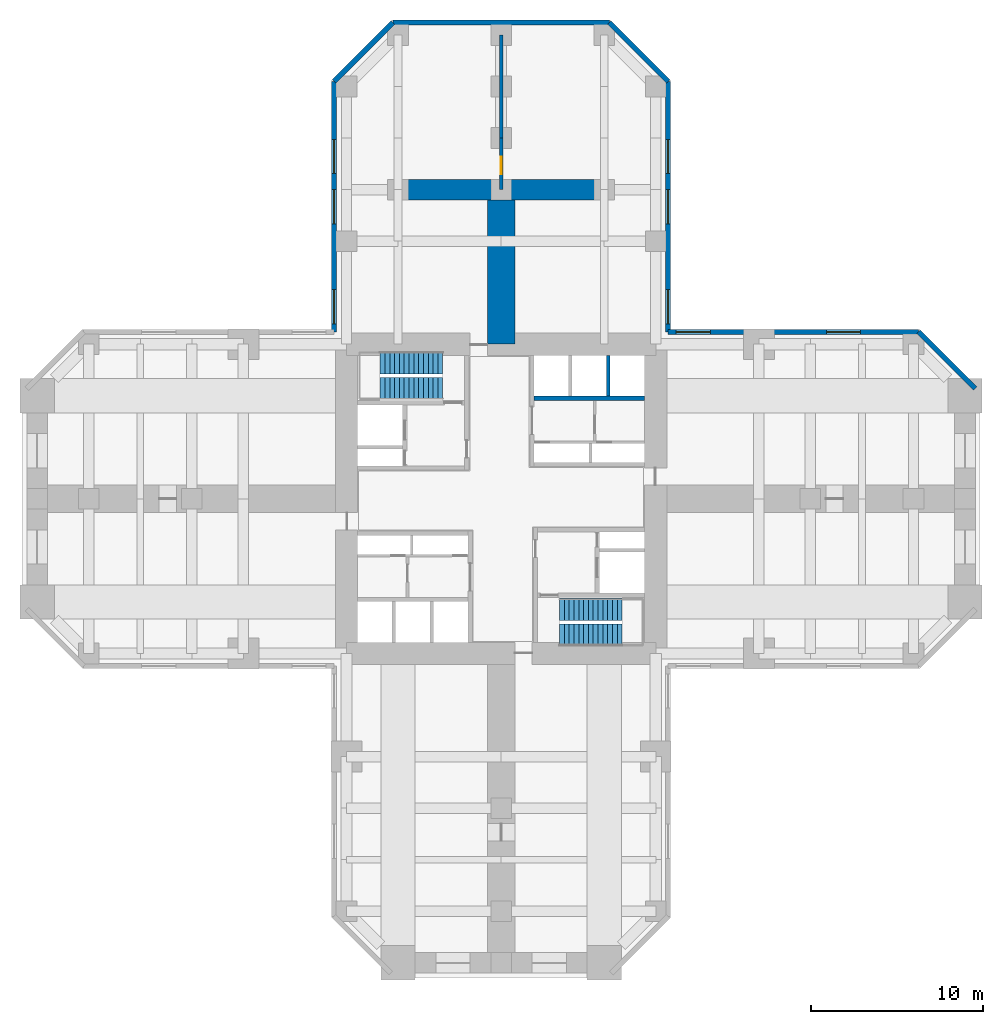
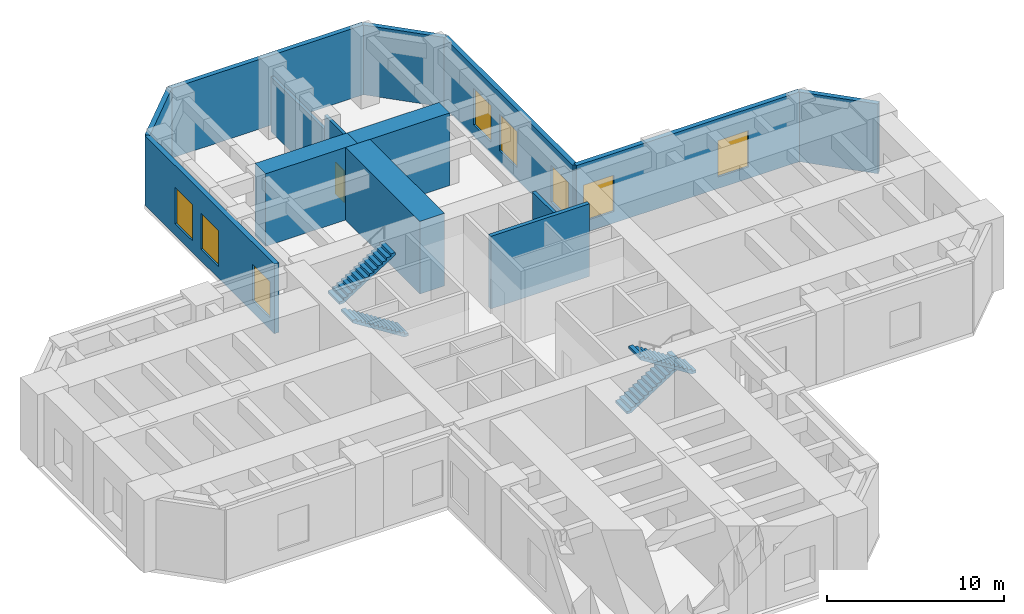
# One storey, part 5 of 6: 14 walls, 8 windows, 4 stair flights, 1 door, 9 openings, 2 elements without a shape of their own.
"""IFC4 building model written with IfcOpenShell, lengths in metres."""

from ifc_helpers import new_model, si_unit, direction, frame, frame_2d, origin, place, context, subcontext, project, spatial, polyline, rectangle, hollow_rectangle, outline, extrude, material, layer, layer_set, constituent, constituent_set, type_object, element, fill, aggregate, save


model = new_model("IFC4")

# Units and contexts
model_context = context("Model", 3, precision=1e-05, world=origin(), true_north=direction((0.0, 1.0)))
body_context = subcontext(model_context, "Body", "Model", "MODEL_VIEW")
ifc_project = project(units=[si_unit("LENGTHUNIT", "METRE"), si_unit("AREAUNIT", "SQUARE_METRE"), si_unit("VOLUMEUNIT", "CUBIC_METRE"), si_unit("PLANEANGLEUNIT", "RADIAN"), si_unit("MASSUNIT", "GRAM", prefix="KILO")], contexts=[model_context])

# Site, building, storey
site_placement = place(None, origin())
site = spatial("IfcSite", under=ifc_project, at=site_placement, CompositionType="ELEMENT")
building_placement = place(site_placement, origin())
building = spatial("IfcBuilding", under=site, at=building_placement, Name="Torre Cruceta", CompositionType="ELEMENT")
storey_placement = place(building_placement, frame((0.0, 0.0, 18.5)))
storey = spatial("IfcBuildingStorey", under=building, at=storey_placement, Name="L04", CompositionType="ELEMENT", Elevation=18.5)

# Wall
ifc_material_1 = material(Name="Concrete G60 (fck 60 MPa)", Category="concrete")
ifc_layer_1 = layer(ifc_material_1, 0.25)
ifc_layer_set_1 = layer_set([ifc_layer_1], Name="Concrete G60 (fck 60 MPa)")
wall_type_1 = type_object("IfcWallType", Name="CORE INNER WALL 250 G60", PredefinedType="SHEAR", material=ifc_layer_set_1)
wall_1_placement = place(storey_placement, frame((1.925048828125, 5.85009765625, 0.0), z_axis=(0.0, 0.0, 1.0), x_axis=(1.0, 0.0, 0.0)))
element("IfcWall", 1, at=wall_1_placement, inside=storey, type_object=wall_type_1, Name="CW4 L04 NE-LV", PredefinedType="SHEAR", context=body_context, shape_type="SweptSolid", body=[
    extrude(rectangle(XDim=6.425048828125, YDim=0.25, at=frame_2d((3.21240234375, 0.0))), origin(), (0.0, 0.0, 1.0), 5.0),
])

# Wall, opening, door
ifc_material_2 = material(Name="Concrete G25 (fck 25 MPa)", Category="concrete")
ifc_layer_2 = layer(ifc_material_2, 0.199951171875)
ifc_layer_set_2 = layer_set([ifc_layer_2], Name="Concrete G25 (fck 25 MPa)")
wall_type_2 = type_object("IfcWallType", Name="CORRIDOR WALL 200", PredefinedType="SOLIDWALL", material=ifc_layer_set_2)
wall_2_placement = place(storey_placement, frame((0.0, 18.0, 0.0), z_axis=(0.0, 0.0, 1.0), x_axis=(0.0, 1.0, 0.0)))
wall_2 = element("IfcWall", 2, at=wall_2_placement, inside=storey, type_object=wall_type_2, Name="PT3 spine line L04 N", PredefinedType="SOLIDWALL", context=body_context, shape_type="SweptSolid", body=[
    extrude(rectangle(XDim=3.0, YDim=0.199951171875, at=frame_2d((1.5, 0.0))), origin(), (0.0, 0.0, 1.0), 4.800048828125),
])
opening_1_placement = place(wall_2_placement, frame((0.89990234375, 0.0, 0.0)))
opening_1 = element("IfcOpeningElement", 3, at=opening_1_placement, cuts=wall_2, Name="Opening D14", PredefinedType="OPENING", context=body_context, shape_type="SweptSolid", body=[
    extrude(rectangle(XDim=1.0, YDim=2.199951171875, at=frame_2d((0.5, 1.10009765625))), frame((0.0, 0.10986328125, 0.0), z_axis=(0.0, -1.0, 0.0), x_axis=(1.0, 0.0, 0.0)), (0.0, 0.0, 1.0), 0.219970703125),
])
ifc_material_3 = material(Name="Steel DX51D", Category="steel")
ifc_constituent_1 = constituent(ifc_material_3, Name="Leaf and frame")
ifc_material_4 = material(Name="Polyester powder coating", Category="paint")
ifc_constituent_2 = constituent(ifc_material_4, Name="Finish")
ifc_material_5 = material(Name="Fire-resisting glass", Category="glass")
ifc_constituent_3 = constituent(ifc_material_5, Name="Vision panel")
ifc_constituent_set_1 = constituent_set(constituents=[ifc_constituent_1, ifc_constituent_2, ifc_constituent_3], Name="Steel fire door with vision panel")
door_type = type_object("IfcDoorType", Name="FIRE DOOR VISION PANEL 1000X2200", OperationType="SINGLE_SWING_RIGHT", PredefinedType="DOOR", material=ifc_constituent_set_1)
door_placement = place(opening_1_placement, frame((1.0, 0.0, 0.0), z_axis=(0.0, 0.0, 1.0), x_axis=(-1.0, 0.0, 0.0)))
door = element("IfcDoor", 4, at=door_placement, inside=storey, type_object=door_type, Name="D14 L04-N-SP1", OperationType="SINGLE_SWING_RIGHT", OverallHeight=2.199951171875, OverallWidth=1.0, PredefinedType="DOOR", context=body_context, shape_type="SweptSolid", body=[
    extrude(rectangle(XDim=1.0, YDim=2.199951171875, at=frame_2d((0.5, 1.10009765625))), frame((0.0, 0.025146484375, 0.0), z_axis=(0.0, -1.0, 0.0), x_axis=(1.0, 0.0, 0.0)), (0.0, 0.0, 1.0), 0.050048828125),
])
fill(opening_1, door)

# Walls
wall_3_placement = place(storey_placement, frame((0.0, 21.0, 0.0), z_axis=(0.0, 0.0, 1.0), x_axis=(0.0, 1.0, 0.0)))
element("IfcWall", 5, at=wall_3_placement, inside=storey, type_object=wall_type_2, Name="PT3 spine line L04 N 2", PredefinedType="SOLIDWALL", context=body_context, shape_type="SweptSolid", body=[
    extrude(rectangle(XDim=6.0, YDim=0.199951171875, at=frame_2d((3.0, 0.0))), origin(), (0.0, 0.0, 1.0), 3.800048828125),
])
ifc_material_6 = material(Name="Concrete G60 (fck 60 MPa)", Category="concrete")
ifc_layer_3 = layer(ifc_material_6, 1.199951171875)
ifc_layer_set_3 = layer_set([ifc_layer_3], Name="Concrete G60 (fck 60 MPa)")
wall_type_3 = type_object("IfcWallType", Name="CROSS WALL 1200 G60", PredefinedType="SHEAR", material=ifc_layer_set_3)
for number, where, z_axis, x_axis, name in (
    (6, (0.0, 18.0, 0.0), (0.0, 0.0, 1.0), (-1.0, 0.0, 0.0), "XW1 cross wall L04 N L"),
    (7, (0.0, 18.0, 0.0), (0.0, 0.0, 1.0), (1.0, 0.0, 0.0), "XW1 cross wall L04 N R"),
):
    element("IfcWall", number, at=place(storey_placement, frame(where, z_axis=z_axis, x_axis=x_axis)), inside=storey, type_object=wall_type_3, Name=name, PredefinedType="SHEAR", context=body_context, shape_type="SweptSolid", body=[
        extrude(rectangle(XDim=6.0, YDim=1.199951171875, at=frame_2d((3.0, 0.0))), origin(), (0.0, 0.0, 1.0), 5.0),
    ])
ifc_material_7 = material(Name="Concrete G30 (fck 30 MPa)", Category="concrete")
ifc_layer_4 = layer(ifc_material_7, 0.300048828125)
ifc_layer_set_4 = layer_set([ifc_layer_4], Name="Concrete G30 (fck 30 MPa)")
wall_type_4 = type_object("IfcWallType", Name="EXPOSED CONCRETE FACADE WALL 300", PredefinedType="SOLIDWALL", material=ifc_layer_set_4)
wall_4_placement = place(storey_placement, frame((27.60009765625, 6.418212890625, 0.0), z_axis=(0.0, 0.0, 1.0), x_axis=(-0.707106781187, 0.707106781187, 0.0)))
element("IfcWall", 8, at=wall_4_placement, inside=storey, type_object=wall_type_4, Name="EW1 facade wall L04 E chamfer 03", PredefinedType="SOLIDWALL", context=body_context, shape_type="SweptSolid", body=[
    extrude(rectangle(XDim=4.66943359375, YDim=0.300048828125, at=frame_2d((2.334716796875, 0.0))), origin(), (0.0, 0.0, 1.0), 4.800048828125),
])

# Wall, openings, windows
wall_5_placement = place(storey_placement, frame((24.29833984375, 9.719970703125, 0.0), z_axis=(0.0, 0.0, 1.0), x_axis=(-1.0, 0.0, 0.0)))
wall_5 = element("IfcWall", 9, at=wall_5_placement, inside=storey, type_object=wall_type_4, Name="EW1 facade wall L04 E side 04", PredefinedType="SOLIDWALL", context=body_context, shape_type="SweptSolid", body=[
    extrude(rectangle(XDim=14.578369140625, YDim=0.300048828125, at=frame_2d((7.2890625, 0.0))), origin(), (0.0, 0.0, 1.0), 4.800048828125),
])
opening_2_placement = place(wall_5_placement, frame((3.37353515625, 0.0, 0.800048828125)))
opening_2 = element("IfcOpeningElement", 10, at=opening_2_placement, cuts=wall_5, Name="Opening WN3", PredefinedType="OPENING", context=body_context, shape_type="SweptSolid", body=[
    extrude(rectangle(XDim=2.0, YDim=2.5, at=frame_2d((1.0, 1.25))), frame((0.0, 0.159912109375, 0.0), z_axis=(0.0, -1.0, 0.0), x_axis=(1.0, 0.0, 0.0)), (0.0, 0.0, 1.0), 0.320068359375),
])
opening_3_placement = place(wall_5_placement, frame((12.120361328125, 0.0, 0.800048828125)))
opening_3 = element("IfcOpeningElement", 11, at=opening_3_placement, cuts=wall_5, Name="Opening WN3", PredefinedType="OPENING", context=body_context, shape_type="SweptSolid", body=[
    extrude(rectangle(XDim=2.0, YDim=2.5, at=frame_2d((1.0, 1.25))), frame((0.0, 0.159912109375, 0.0), z_axis=(0.0, -1.0, 0.0), x_axis=(1.0, 0.0, 0.0)), (0.0, 0.0, 1.0), 0.320068359375),
])
ifc_material_8 = material(Name="Aluminium window frame", Category="aluminium")
ifc_constituent_4 = constituent(ifc_material_8, Name="Frame")
ifc_material_9 = material(Name="Laminated insulating glass unit, low-iron clear", Category="glass")
ifc_constituent_5 = constituent(ifc_material_9, Name="Glazing")
ifc_constituent_set_2 = constituent_set(constituents=[ifc_constituent_4, ifc_constituent_5], Name="Aluminium window")
window_type = type_object("IfcWindowType", Name="PLANT LOUVRE 2000X2500", PartitioningType="SINGLE_PANEL", PredefinedType="WINDOW", material=ifc_constituent_set_2)
window_1_placement = place(opening_2_placement, origin())
window_1 = element("IfcWindow", 12, at=window_1_placement, inside=storey, type_object=window_type, Name="WN3 L04 E 2", OverallHeight=2.5, OverallWidth=2.0, PartitioningType="SINGLE_PANEL", PredefinedType="WINDOW", context=body_context, shape_type="SweptSolid", body=[
    extrude(hollow_rectangle(XDim=2.0, YDim=2.5, WallThickness=0.06005859375, at=frame_2d((1.0, 1.25))), frame((0.0, 0.030029296875, 0.0), z_axis=(0.0, -1.0, 0.0), x_axis=(1.0, 0.0, 0.0)), (0.0, 0.0, 1.0), 0.06005859375),
    extrude(rectangle(XDim=1.87890625, YDim=2.37890625, at=frame_2d((1.0, 1.25))), frame((0.0, 0.030029296875, 0.0), z_axis=(0.0, -1.0, 0.0), x_axis=(1.0, 0.0, 0.0)), (0.0, 0.0, 1.0), 0.06005859375),
])
fill(opening_2, window_1)
window_2_placement = place(opening_3_placement, origin())
window_2 = element("IfcWindow", 13, at=window_2_placement, inside=storey, type_object=window_type, Name="WN3 L04 E 5", OverallHeight=2.5, OverallWidth=2.0, PartitioningType="SINGLE_PANEL", PredefinedType="WINDOW", context=body_context, shape_type="SweptSolid", body=[
    extrude(hollow_rectangle(XDim=2.0, YDim=2.5, WallThickness=0.06005859375, at=frame_2d((1.0, 1.25))), frame((0.0, 0.030029296875, 0.0), z_axis=(0.0, -1.0, 0.0), x_axis=(1.0, 0.0, 0.0)), (0.0, 0.0, 1.0), 0.06005859375),
    extrude(rectangle(XDim=1.87890625, YDim=2.37890625, at=frame_2d((1.0, 1.25))), frame((0.0, 0.030029296875, 0.0), z_axis=(0.0, -1.0, 0.0), x_axis=(1.0, 0.0, 0.0)), (0.0, 0.0, 1.0), 0.06005859375),
])
fill(opening_3, window_2)

wall_6_placement = place(storey_placement, frame((9.719970703125, 9.719970703125, 0.0), z_axis=(0.0, 0.0, 1.0), x_axis=(0.0, 1.0, 0.0)))
wall_6 = element("IfcWall", 14, at=wall_6_placement, inside=storey, type_object=wall_type_4, Name="EW1 facade wall L04 N side 05", PredefinedType="SOLIDWALL", context=body_context, shape_type="SweptSolid", body=[
    extrude(rectangle(XDim=14.578369140625, YDim=0.300048828125, at=frame_2d((7.2890625, 0.0))), origin(), (0.0, 0.0, 1.0), 4.800048828125),
])
opening_4_placement = place(wall_6_placement, frame((0.457763671875, 0.0, 0.800048828125)))
opening_4 = element("IfcOpeningElement", 15, at=opening_4_placement, cuts=wall_6, Name="Opening WN3", PredefinedType="OPENING", context=body_context, shape_type="SweptSolid", body=[
    extrude(rectangle(XDim=2.0, YDim=2.5, at=frame_2d((1.0, 1.25))), frame((0.0, 0.159912109375, 0.0), z_axis=(0.0, -1.0, 0.0), x_axis=(1.0, 0.0, 0.0)), (0.0, 0.0, 1.0), 0.320068359375),
])
opening_5_placement = place(wall_6_placement, frame((6.2890625, 0.0, 0.800048828125)))
opening_5 = element("IfcOpeningElement", 16, at=opening_5_placement, cuts=wall_6, Name="Opening WN3", PredefinedType="OPENING", context=body_context, shape_type="SweptSolid", body=[
    extrude(rectangle(XDim=2.0, YDim=2.5, at=frame_2d((1.0, 1.25))), frame((0.0, 0.159912109375, 0.0), z_axis=(0.0, -1.0, 0.0), x_axis=(1.0, 0.0, 0.0)), (0.0, 0.0, 1.0), 0.320068359375),
])
opening_6_placement = place(wall_6_placement, frame((9.204833984375, 0.0, 0.800048828125)))
opening_6 = element("IfcOpeningElement", 17, at=opening_6_placement, cuts=wall_6, Name="Opening WN3", PredefinedType="OPENING", context=body_context, shape_type="SweptSolid", body=[
    extrude(rectangle(XDim=2.0, YDim=2.5, at=frame_2d((1.0, 1.25))), frame((0.0, 0.159912109375, 0.0), z_axis=(0.0, -1.0, 0.0), x_axis=(1.0, 0.0, 0.0)), (0.0, 0.0, 1.0), 0.320068359375),
])
window_3_placement = place(opening_4_placement, origin())
window_3 = element("IfcWindow", 18, at=window_3_placement, inside=storey, type_object=window_type, Name="WN3 L04 N 1", OverallHeight=2.5, OverallWidth=2.0, PartitioningType="SINGLE_PANEL", PredefinedType="WINDOW", context=body_context, shape_type="SweptSolid", body=[
    extrude(hollow_rectangle(XDim=2.0, YDim=2.5, WallThickness=0.06005859375, at=frame_2d((1.0, 1.25))), frame((0.0, 0.030029296875, 0.0), z_axis=(0.0, -1.0, 0.0), x_axis=(1.0, 0.0, 0.0)), (0.0, 0.0, 1.0), 0.06005859375),
    extrude(rectangle(XDim=1.87890625, YDim=2.37890625, at=frame_2d((1.0, 1.25))), frame((0.0, 0.030029296875, 0.0), z_axis=(0.0, -1.0, 0.0), x_axis=(1.0, 0.0, 0.0)), (0.0, 0.0, 1.0), 0.06005859375),
])
fill(opening_4, window_3)
window_4_placement = place(opening_5_placement, origin())
window_4 = element("IfcWindow", 19, at=window_4_placement, inside=storey, type_object=window_type, Name="WN3 L04 N 3", OverallHeight=2.5, OverallWidth=2.0, PartitioningType="SINGLE_PANEL", PredefinedType="WINDOW", context=body_context, shape_type="SweptSolid", body=[
    extrude(hollow_rectangle(XDim=2.0, YDim=2.5, WallThickness=0.06005859375, at=frame_2d((1.0, 1.25))), frame((0.0, 0.030029296875, 0.0), z_axis=(0.0, -1.0, 0.0), x_axis=(1.0, 0.0, 0.0)), (0.0, 0.0, 1.0), 0.06005859375),
    extrude(rectangle(XDim=1.87890625, YDim=2.37890625, at=frame_2d((1.0, 1.25))), frame((0.0, 0.030029296875, 0.0), z_axis=(0.0, -1.0, 0.0), x_axis=(1.0, 0.0, 0.0)), (0.0, 0.0, 1.0), 0.06005859375),
])
fill(opening_5, window_4)
window_5_placement = place(opening_6_placement, origin())
window_5 = element("IfcWindow", 20, at=window_5_placement, inside=storey, type_object=window_type, Name="WN3 L04 N 4", OverallHeight=2.5, OverallWidth=2.0, PartitioningType="SINGLE_PANEL", PredefinedType="WINDOW", context=body_context, shape_type="SweptSolid", body=[
    extrude(hollow_rectangle(XDim=2.0, YDim=2.5, WallThickness=0.06005859375, at=frame_2d((1.0, 1.25))), frame((0.0, 0.030029296875, 0.0), z_axis=(0.0, -1.0, 0.0), x_axis=(1.0, 0.0, 0.0)), (0.0, 0.0, 1.0), 0.06005859375),
    extrude(rectangle(XDim=1.87890625, YDim=2.37890625, at=frame_2d((1.0, 1.25))), frame((0.0, 0.030029296875, 0.0), z_axis=(0.0, -1.0, 0.0), x_axis=(1.0, 0.0, 0.0)), (0.0, 0.0, 1.0), 0.06005859375),
])
fill(opening_6, window_5)

# Walls
wall_7_placement = place(storey_placement, frame((9.719970703125, 24.29833984375, 0.0), z_axis=(0.0, 0.0, 1.0), x_axis=(-0.707106781187, 0.707106781187, 0.0)))
element("IfcWall", 21, at=wall_7_placement, inside=storey, type_object=wall_type_4, Name="EW1 facade wall L04 N chamfer 06", PredefinedType="SOLIDWALL", context=body_context, shape_type="SweptSolid", body=[
    extrude(rectangle(XDim=4.8388671875, YDim=0.300048828125, at=frame_2d((2.41943359375, 0.0))), origin(), (0.0, 0.0, 1.0), 4.800048828125),
])
wall_8_placement = place(storey_placement, frame((6.29833984375, 27.719970703125, 0.0), z_axis=(0.0, 0.0, 1.0), x_axis=(-1.0, 0.0, 0.0)))
element("IfcWall", 22, at=wall_8_placement, inside=storey, type_object=wall_type_4, Name="EW1 facade wall L04 N tip 07", PredefinedType="SOLIDWALL", context=body_context, shape_type="SweptSolid", body=[
    extrude(rectangle(XDim=12.5966796875, YDim=0.300048828125, at=frame_2d((6.29833984375, 0.0))), origin(), (0.0, 0.0, 1.0), 4.800048828125),
])
wall_9_placement = place(storey_placement, frame((-6.29833984375, 27.719970703125, 0.0), z_axis=(0.0, 0.0, 1.0), x_axis=(-0.707106781187, -0.707106781187, 0.0)))
element("IfcWall", 23, at=wall_9_placement, inside=storey, type_object=wall_type_4, Name="EW1 facade wall L04 N chamfer 08", PredefinedType="SOLIDWALL", context=body_context, shape_type="SweptSolid", body=[
    extrude(rectangle(XDim=4.8388671875, YDim=0.300048828125, at=frame_2d((2.41943359375, 0.0))), origin(), (0.0, 0.0, 1.0), 4.800048828125),
])

# Wall, openings, windows
wall_10_placement = place(storey_placement, frame((-9.719970703125, 24.29833984375, 0.0), z_axis=(0.0, 0.0, 1.0), x_axis=(0.0, -1.0, 0.0)))
wall_10 = element("IfcWall", 24, at=wall_10_placement, inside=storey, type_object=wall_type_4, Name="EW1 facade wall L04 N side 09", PredefinedType="SOLIDWALL", context=body_context, shape_type="SweptSolid", body=[
    extrude(rectangle(XDim=14.578369140625, YDim=0.300048828125, at=frame_2d((7.2890625, 0.0))), origin(), (0.0, 0.0, 1.0), 4.800048828125),
])
opening_7_placement = place(wall_10_placement, frame((3.37353515625, 0.0, 0.800048828125)))
opening_7 = element("IfcOpeningElement", 25, at=opening_7_placement, cuts=wall_10, Name="Opening WN3", PredefinedType="OPENING", context=body_context, shape_type="SweptSolid", body=[
    extrude(rectangle(XDim=2.0, YDim=2.5, at=frame_2d((1.0, 1.25))), frame((0.0, 0.159912109375, 0.0), z_axis=(0.0, -1.0, 0.0), x_axis=(1.0, 0.0, 0.0)), (0.0, 0.0, 1.0), 0.320068359375),
])
opening_8_placement = place(wall_10_placement, frame((6.2890625, 0.0, 0.800048828125)))
opening_8 = element("IfcOpeningElement", 26, at=opening_8_placement, cuts=wall_10, Name="Opening WN3", PredefinedType="OPENING", context=body_context, shape_type="SweptSolid", body=[
    extrude(rectangle(XDim=2.0, YDim=2.5, at=frame_2d((1.0, 1.25))), frame((0.0, 0.159912109375, 0.0), z_axis=(0.0, -1.0, 0.0), x_axis=(1.0, 0.0, 0.0)), (0.0, 0.0, 1.0), 0.320068359375),
])
opening_9_placement = place(wall_10_placement, frame((12.120361328125, 0.0, 0.800048828125)))
opening_9 = element("IfcOpeningElement", 27, at=opening_9_placement, cuts=wall_10, Name="Opening WN3", PredefinedType="OPENING", context=body_context, shape_type="SweptSolid", body=[
    extrude(rectangle(XDim=2.0, YDim=2.5, at=frame_2d((1.0, 1.25))), frame((0.0, 0.159912109375, 0.0), z_axis=(0.0, -1.0, 0.0), x_axis=(1.0, 0.0, 0.0)), (0.0, 0.0, 1.0), 0.320068359375),
])
window_6_placement = place(opening_7_placement, origin())
window_6 = element("IfcWindow", 28, at=window_6_placement, inside=storey, type_object=window_type, Name="WN3 L04 N 2", OverallHeight=2.5, OverallWidth=2.0, PartitioningType="SINGLE_PANEL", PredefinedType="WINDOW", context=body_context, shape_type="SweptSolid", body=[
    extrude(hollow_rectangle(XDim=2.0, YDim=2.5, WallThickness=0.06005859375, at=frame_2d((1.0, 1.25))), frame((0.0, 0.030029296875, 0.0), z_axis=(0.0, -1.0, 0.0), x_axis=(1.0, 0.0, 0.0)), (0.0, 0.0, 1.0), 0.06005859375),
    extrude(rectangle(XDim=1.87890625, YDim=2.37890625, at=frame_2d((1.0, 1.25))), frame((0.0, 0.030029296875, 0.0), z_axis=(0.0, -1.0, 0.0), x_axis=(1.0, 0.0, 0.0)), (0.0, 0.0, 1.0), 0.06005859375),
])
fill(opening_7, window_6)
window_7_placement = place(opening_8_placement, origin())
window_7 = element("IfcWindow", 29, at=window_7_placement, inside=storey, type_object=window_type, Name="WN3 L04 N 3", OverallHeight=2.5, OverallWidth=2.0, PartitioningType="SINGLE_PANEL", PredefinedType="WINDOW", context=body_context, shape_type="SweptSolid", body=[
    extrude(hollow_rectangle(XDim=2.0, YDim=2.5, WallThickness=0.06005859375, at=frame_2d((1.0, 1.25))), frame((0.0, 0.030029296875, 0.0), z_axis=(0.0, -1.0, 0.0), x_axis=(1.0, 0.0, 0.0)), (0.0, 0.0, 1.0), 0.06005859375),
    extrude(rectangle(XDim=1.87890625, YDim=2.37890625, at=frame_2d((1.0, 1.25))), frame((0.0, 0.030029296875, 0.0), z_axis=(0.0, -1.0, 0.0), x_axis=(1.0, 0.0, 0.0)), (0.0, 0.0, 1.0), 0.06005859375),
])
fill(opening_8, window_7)
window_8_placement = place(opening_9_placement, origin())
window_8 = element("IfcWindow", 30, at=window_8_placement, inside=storey, type_object=window_type, Name="WN3 L04 N 5", OverallHeight=2.5, OverallWidth=2.0, PartitioningType="SINGLE_PANEL", PredefinedType="WINDOW", context=body_context, shape_type="SweptSolid", body=[
    extrude(hollow_rectangle(XDim=2.0, YDim=2.5, WallThickness=0.06005859375, at=frame_2d((1.0, 1.25))), frame((0.0, 0.030029296875, 0.0), z_axis=(0.0, -1.0, 0.0), x_axis=(1.0, 0.0, 0.0)), (0.0, 0.0, 1.0), 0.06005859375),
    extrude(rectangle(XDim=1.87890625, YDim=2.37890625, at=frame_2d((1.0, 1.25))), frame((0.0, 0.030029296875, 0.0), z_axis=(0.0, -1.0, 0.0), x_axis=(1.0, 0.0, 0.0)), (0.0, 0.0, 1.0), 0.06005859375),
])
fill(opening_9, window_8)

# Walls
ifc_material_10 = material(Name="Concrete G35 (fck 35 MPa)", Category="concrete")
ifc_layer_5 = layer(ifc_material_10, 0.199951171875)
ifc_layer_set_5 = layer_set([ifc_layer_5], Name="Concrete G35 (fck 35 MPa)")
wall_type_5 = type_object("IfcWallType", Name="LIFT SHAFT WALL 200", PredefinedType="PARTITIONING", material=ifc_layer_set_5)
wall_11_placement = place(storey_placement, frame((6.24169921875, 5.97509765625, 0.0), z_axis=(0.0, 0.0, 1.0), x_axis=(0.0, 1.0, 0.0)))
element("IfcWall", 31, at=wall_11_placement, inside=storey, type_object=wall_type_5, Name="SW1 L04 NE-LS2", PredefinedType="PARTITIONING", context=body_context, shape_type="SweptSolid", body=[
    extrude(rectangle(XDim=2.375, YDim=0.199951171875, at=frame_2d((1.1875, 0.0))), origin(), (0.0, 0.0, 1.0), 5.0),
])
ifc_material_11 = material(Name="Concrete G60 (fck 60 MPa)", Category="concrete")
ifc_layer_6 = layer(ifc_material_11, 1.60009765625)
ifc_layer_set_6 = layer_set([ifc_layer_6], Name="Concrete G60 (fck 60 MPa)")
wall_type_6 = type_object("IfcWallType", Name="SPINE WALL 1600 G60", PredefinedType="SHEAR", material=ifc_layer_set_6)
wall_12_placement = place(storey_placement, frame((0.0, 9.0, 0.0), z_axis=(0.0, 0.0, 1.0), x_axis=(0.0, 1.0, 0.0)))
element("IfcWall", 32, at=wall_12_placement, inside=storey, type_object=wall_type_6, Name="SW2 spine wall L04 N", PredefinedType="SHEAR", context=body_context, shape_type="SweptSolid", body=[
    extrude(rectangle(XDim=9.0, YDim=1.60009765625, at=frame_2d((4.5, 0.0))), origin(), (0.0, 0.0, 1.0), 5.0),
])

# Stair, stair flights
ifc_material_12 = material(Name="Concrete G30 (fck 30 MPa)", Category="concrete")
stair_type = type_object("IfcStairType", Name="STAIR HALF-TURN 1300", PredefinedType="HALF_TURN_STAIR", material=ifc_material_12)
stair_1_placement = place(storey_placement, origin())
stair_1 = element("IfcStair", 33, at=stair_1_placement, inside=storey, type_object=stair_type, Name="Stair ST1 L04", PredefinedType="HALF_TURN_STAIR")
ifc_material_13 = material(Name="Concrete G30 (fck 30 MPa)", Category="concrete")
stair_flight_type = type_object("IfcStairFlightType", Name="STAIR FLIGHT 1300", PredefinedType="STRAIGHT", material=ifc_material_13)
stair_flight_1_placement = place(storey_placement, frame((-3.39990234375, 6.425048828125, 0.0), z_axis=(0.0, 0.0, 1.0), x_axis=(-1.0, 0.0, 0.0)))
stair_flight_1 = element("IfcStairFlight", 34, at=stair_flight_1_placement, type_object=stair_flight_type, Name="ST1 flight 1", NumberOfRisers=14, NumberOfTreads=13, PredefinedType="STRAIGHT", RiserHeight=0.178571429, TreadLength=0.28, context=body_context, shape_type="SweptSolid", body=[
    extrude(outline(polyline([(0.0, 0.0), (0.0, 0.178466796875), (0.280029296875, 0.178466796875), (0.280029296875, 0.357177734375), (0.56005859375, 0.357177734375), (0.56005859375, 0.53564453125), (0.840087890625, 0.53564453125), (0.840087890625, 0.71435546875), (1.1201171875, 0.71435546875), (1.1201171875, 0.892822265625), (1.39990234375, 0.892822265625), (1.39990234375, 1.071533203125), (1.679931640625, 1.071533203125), (1.679931640625, 1.25), (1.9599609375, 1.25), (1.9599609375, 1.428466796875), (2.239990234375, 1.428466796875), (2.239990234375, 1.607177734375), (2.52001953125, 1.607177734375), (2.52001953125, 1.78564453125), (2.800048828125, 1.78564453125), (2.800048828125, 1.96435546875), (3.080078125, 1.96435546875), (3.080078125, 2.142822265625), (3.360107421875, 2.142822265625), (3.360107421875, 2.321533203125), (3.639892578125, 2.321533203125), (3.639892578125, 2.5), (3.639892578125, 2.1435546875), (0.27880859375, 0.0), (0.0, 0.0)])), frame((0.0, 0.64990234375, 0.0), z_axis=(0.0, -1.0, 0.0), x_axis=(1.0, 0.0, 0.0)), (0.0, 0.0, 1.0), 1.300048828125),
])
stair_flight_2_placement = place(storey_placement, frame((-7.0400390625, 7.925048828125, 2.5), z_axis=(0.0, 0.0, 1.0), x_axis=(1.0, 0.0, 0.0)))
stair_flight_2 = element("IfcStairFlight", 35, at=stair_flight_2_placement, type_object=stair_flight_type, Name="ST1 flight 2", NumberOfRisers=14, NumberOfTreads=13, PredefinedType="STRAIGHT", RiserHeight=0.178571429, TreadLength=0.28, context=body_context, shape_type="SweptSolid", body=[
    extrude(outline(polyline([(0.0, 0.0), (0.0, 0.178466796875), (0.280029296875, 0.178466796875), (0.280029296875, 0.357177734375), (0.56005859375, 0.357177734375), (0.56005859375, 0.53564453125), (0.840087890625, 0.53564453125), (0.840087890625, 0.71435546875), (1.1201171875, 0.71435546875), (1.1201171875, 0.892822265625), (1.39990234375, 0.892822265625), (1.39990234375, 1.071533203125), (1.679931640625, 1.071533203125), (1.679931640625, 1.25), (1.9599609375, 1.25), (1.9599609375, 1.428466796875), (2.239990234375, 1.428466796875), (2.239990234375, 1.607177734375), (2.52001953125, 1.607177734375), (2.52001953125, 1.78564453125), (2.800048828125, 1.78564453125), (2.800048828125, 1.96435546875), (3.080078125, 1.96435546875), (3.080078125, 2.142822265625), (3.360107421875, 2.142822265625), (3.360107421875, 2.321533203125), (3.639892578125, 2.321533203125), (3.639892578125, 2.5), (3.639892578125, 2.1435546875), (0.27880859375, 0.0), (0.0, 0.0)])), frame((0.0, 0.64990234375, 0.0), z_axis=(0.0, -1.0, 0.0), x_axis=(1.0, 0.0, 0.0)), (0.0, 0.0, 1.0), 1.300048828125),
])
aggregate(stair_1, [stair_flight_1, stair_flight_2])

stair_2_placement = place(storey_placement, origin())
stair_2 = element("IfcStair", 36, at=stair_2_placement, inside=storey, type_object=stair_type, Name="Stair ST2 L04", PredefinedType="HALF_TURN_STAIR")
stair_flight_3_placement = place(storey_placement, frame((3.39990234375, -6.425048828125, 0.0), z_axis=(0.0, 0.0, 1.0), x_axis=(1.0, 0.0, 0.0)))
stair_flight_3 = element("IfcStairFlight", 37, at=stair_flight_3_placement, type_object=stair_flight_type, Name="ST2 flight 1", NumberOfRisers=14, NumberOfTreads=13, PredefinedType="STRAIGHT", RiserHeight=0.178571429, TreadLength=0.28, context=body_context, shape_type="SweptSolid", body=[
    extrude(outline(polyline([(0.0, 0.0), (0.0, 0.178466796875), (0.280029296875, 0.178466796875), (0.280029296875, 0.357177734375), (0.56005859375, 0.357177734375), (0.56005859375, 0.53564453125), (0.840087890625, 0.53564453125), (0.840087890625, 0.71435546875), (1.1201171875, 0.71435546875), (1.1201171875, 0.892822265625), (1.39990234375, 0.892822265625), (1.39990234375, 1.071533203125), (1.679931640625, 1.071533203125), (1.679931640625, 1.25), (1.9599609375, 1.25), (1.9599609375, 1.428466796875), (2.239990234375, 1.428466796875), (2.239990234375, 1.607177734375), (2.52001953125, 1.607177734375), (2.52001953125, 1.78564453125), (2.800048828125, 1.78564453125), (2.800048828125, 1.96435546875), (3.080078125, 1.96435546875), (3.080078125, 2.142822265625), (3.360107421875, 2.142822265625), (3.360107421875, 2.321533203125), (3.639892578125, 2.321533203125), (3.639892578125, 2.5), (3.639892578125, 2.1435546875), (0.27880859375, 0.0), (0.0, 0.0)])), frame((0.0, 0.64990234375, 0.0), z_axis=(0.0, -1.0, 0.0), x_axis=(1.0, 0.0, 0.0)), (0.0, 0.0, 1.0), 1.300048828125),
])
stair_flight_4_placement = place(storey_placement, frame((7.0400390625, -7.925048828125, 2.5), z_axis=(0.0, 0.0, 1.0), x_axis=(-1.0, 0.0, 0.0)))
stair_flight_4 = element("IfcStairFlight", 38, at=stair_flight_4_placement, type_object=stair_flight_type, Name="ST2 flight 2", NumberOfRisers=14, NumberOfTreads=13, PredefinedType="STRAIGHT", RiserHeight=0.178571429, TreadLength=0.28, context=body_context, shape_type="SweptSolid", body=[
    extrude(outline(polyline([(0.0, 0.0), (0.0, 0.178466796875), (0.280029296875, 0.178466796875), (0.280029296875, 0.357177734375), (0.56005859375, 0.357177734375), (0.56005859375, 0.53564453125), (0.840087890625, 0.53564453125), (0.840087890625, 0.71435546875), (1.1201171875, 0.71435546875), (1.1201171875, 0.892822265625), (1.39990234375, 0.892822265625), (1.39990234375, 1.071533203125), (1.679931640625, 1.071533203125), (1.679931640625, 1.25), (1.9599609375, 1.25), (1.9599609375, 1.428466796875), (2.239990234375, 1.428466796875), (2.239990234375, 1.607177734375), (2.52001953125, 1.607177734375), (2.52001953125, 1.78564453125), (2.800048828125, 1.78564453125), (2.800048828125, 1.96435546875), (3.080078125, 1.96435546875), (3.080078125, 2.142822265625), (3.360107421875, 2.142822265625), (3.360107421875, 2.321533203125), (3.639892578125, 2.321533203125), (3.639892578125, 2.5), (3.639892578125, 2.1435546875), (0.27880859375, 0.0), (0.0, 0.0)])), frame((0.0, 0.64990234375, 0.0), z_axis=(0.0, -1.0, 0.0), x_axis=(1.0, 0.0, 0.0)), (0.0, 0.0, 1.0), 1.300048828125),
])
aggregate(stair_2, [stair_flight_3, stair_flight_4])

save(model, "model.ifc")
